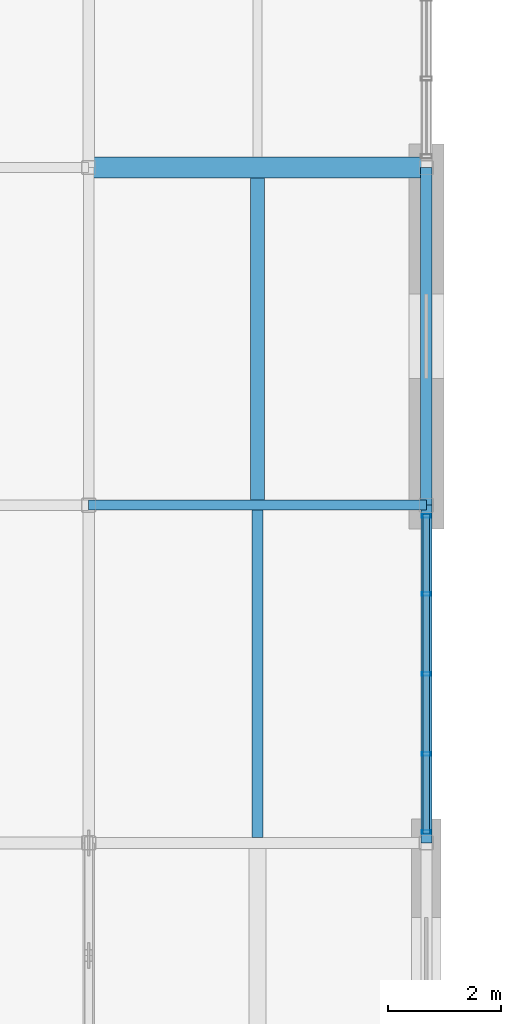
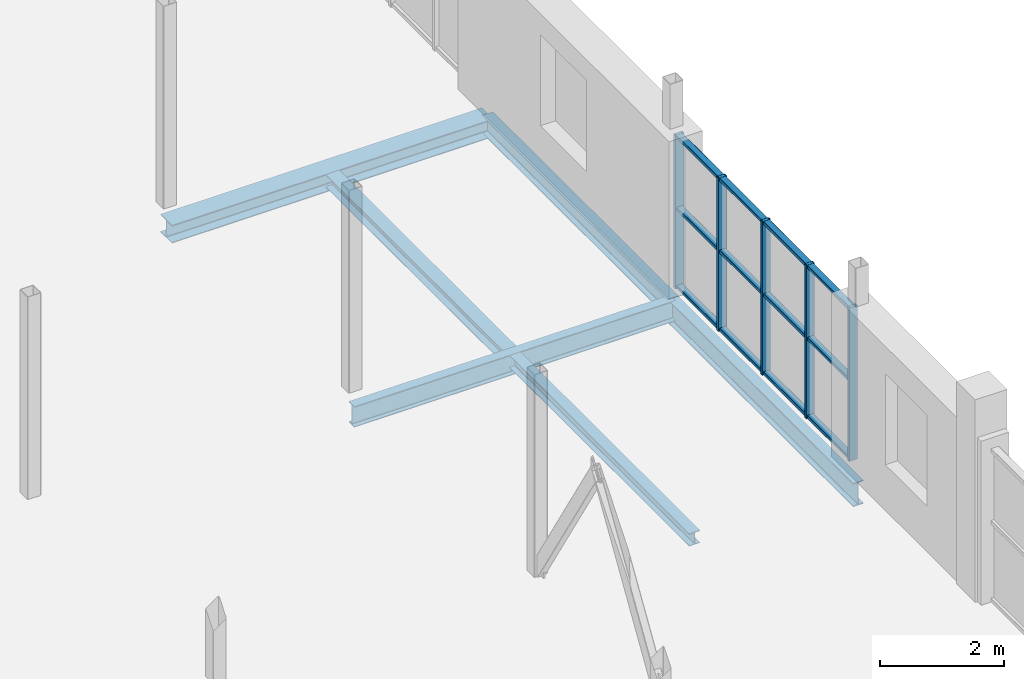
# One storey, part 14 of 35: 8 members, 6 beams, 1 element without a shape of its own.
"""IFC4 building model written with IfcOpenShell, lengths in metres."""

from ifc_helpers import new_model, si_unit, direction, frame, origin, origin_2d, place, context, subcontext, project, spatial, hollow_rectangle, i_section, extrude, material, material_profile, profile_set, type_object, element, aggregate, save


model = new_model("IFC4")

# Units and contexts
model_context = context("Model", 3, precision=1e-05, world=origin(), true_north=direction((0.0, 1.0)))
body_context = subcontext(model_context, "Body", "Model", "MODEL_VIEW")
ifc_project = project(units=[si_unit("LENGTHUNIT", "METRE"), si_unit("AREAUNIT", "SQUARE_METRE"), si_unit("VOLUMEUNIT", "CUBIC_METRE"), si_unit("PLANEANGLEUNIT", "RADIAN"), si_unit("MASSUNIT", "GRAM", prefix="KILO")], contexts=[model_context])

# Site, building, storey
site_placement = place(None, origin())
site = spatial("IfcSite", under=ifc_project, at=site_placement, CompositionType="ELEMENT")
building_placement = place(site_placement, origin())
building = spatial("IfcBuilding", under=site, at=building_placement, Name="Verrall Gate Interchange", CompositionType="ELEMENT")
storey_placement = place(building_placement, frame((0.0, 0.0, 15.39990234375)))
storey = spatial("IfcBuildingStorey", under=building, at=storey_placement, Name="L04", CompositionType="ELEMENT", Elevation=15.39990234375)

# Beams
ifc_material_1 = material(Name="Structural Steel CSA G40.21 350W", Category="steel")
ifc_material_profile_1 = material_profile(ifc_material_1, i_section(OverallWidth=0.19189453125, OverallDepth=0.462890625, WebThickness=0.010498046875, FlangeThickness=0.017578125, FilletRadius=0.012939453125, at=origin_2d()), Name="W460x89")
ifc_profile_set_1 = profile_set([ifc_material_profile_1], Name="Structural Steel CSA G40.21 350W")
beam_type_1 = type_object("IfcBeamType", Name="B-11 Structural Beam W460x89", PredefinedType="BEAM", material=ifc_profile_set_1)
beam_1_placement = place(storey_placement, frame((36.0, 16.0, -0.5615234375), z_axis=(0.0, 1.0, 0.0), x_axis=(-1.0, 0.0, 0.0)))
element("IfcBeam", 1, at=beam_1_placement, inside=storey, type_object=beam_type_1, Name="L04 Girder BM-L04-2713 (B-11)", PredefinedType="BEAM", context=body_context, shape_type="SweptSolid", body=[
    extrude(i_section(OverallWidth=0.19189453125, OverallDepth=0.462890625, WebThickness=0.010498046875, FlangeThickness=0.017578125, FilletRadius=0.012939453125, at=origin_2d()), origin(), (0.0, 0.0, 1.0), 6.0),
])
ifc_material_2 = material(Name="Structural Steel CSA G40.21 350W", Category="steel")
ifc_material_profile_2 = material_profile(ifc_material_2, i_section(OverallWidth=0.178955078125, OverallDepth=0.409912109375, WebThickness=0.0087890625, FlangeThickness=0.014404296875, FilletRadius=0.011962890625, at=origin_2d()), Name="W410x67")
ifc_profile_set_2 = profile_set([ifc_material_profile_2], Name="Structural Steel CSA G40.21 350W")
beam_type_2 = type_object("IfcBeamType", Name="B-12 Structural Beam W410x67", PredefinedType="BEAM", material=ifc_profile_set_2)
beam_2_placement = place(storey_placement, frame((30.0, 22.0, -0.534912109375), z_axis=(1.0, 0.0, 0.0), x_axis=(0.0, 1.0, 0.0)))
element("IfcBeam", 2, at=beam_2_placement, inside=storey, type_object=beam_type_2, Name="L04 Girder BM-L04-2555 (B-12)", PredefinedType="BEAM", context=body_context, shape_type="SweptSolid", body=[
    extrude(i_section(OverallWidth=0.178955078125, OverallDepth=0.409912109375, WebThickness=0.0087890625, FlangeThickness=0.014404296875, FilletRadius=0.011962890625, at=origin_2d()), origin(), (0.0, 0.0, 1.0), 6.0),
])
ifc_material_3 = material(Name="Structural Steel CSA G40.21 350W", Category="steel")
ifc_material_profile_3 = material_profile(ifc_material_3, i_section(OverallWidth=0.368896484375, OverallDepth=0.35595703125, WebThickness=0.01123046875, FlangeThickness=0.01806640625, FilletRadius=0.014892578125, at=origin_2d()), Name="W360x134")
ifc_profile_set_3 = profile_set([ifc_material_profile_3], Name="Structural Steel CSA G40.21 350W")
beam_type_3 = type_object("IfcBeamType", Name="B-13 Structural Beam W360x134", PredefinedType="BEAM", material=ifc_profile_set_3)
beam_3_placement = place(storey_placement, frame((30.0, 28.0, -0.5078125), z_axis=(1.0, 0.0, 0.0), x_axis=(0.0, 1.0, 0.0)))
element("IfcBeam", 3, at=beam_3_placement, inside=storey, type_object=beam_type_3, Name="L04 Girder BM-L04-2566 (B-13)", PredefinedType="BEAM", context=body_context, shape_type="SweptSolid", body=[
    extrude(i_section(OverallWidth=0.368896484375, OverallDepth=0.35595703125, WebThickness=0.01123046875, FlangeThickness=0.01806640625, FilletRadius=0.014892578125, at=origin_2d()), origin(), (0.0, 0.0, 1.0), 6.0),
])
ifc_material_4 = material(Name="Structural Steel CSA G40.21 350W", Category="steel")
ifc_material_profile_4 = material_profile(ifc_material_4, i_section(OverallWidth=0.205078125, OverallDepth=0.35400390625, WebThickness=0.009521484375, FlangeThickness=0.016845703125, FilletRadius=0.012939453125, at=origin_2d()), Name="W360x79")
ifc_profile_set_4 = profile_set([ifc_material_profile_4], Name="Structural Steel CSA G40.21 350W")
beam_type_4 = type_object("IfcBeamType", Name="B-14 Structural Beam W360x79", PredefinedType="BEAM", material=ifc_profile_set_4)
beam_4_placement = place(storey_placement, frame((36.0, 22.0, -0.5068359375), z_axis=(0.0, 1.0, 0.0), x_axis=(-1.0, 0.0, 0.0)))
element("IfcBeam", 4, at=beam_4_placement, inside=storey, type_object=beam_type_4, Name="L04 Girder BM-L04-2714 (B-14)", PredefinedType="BEAM", context=body_context, shape_type="SweptSolid", body=[
    extrude(i_section(OverallWidth=0.205078125, OverallDepth=0.35400390625, WebThickness=0.009521484375, FlangeThickness=0.016845703125, FilletRadius=0.012939453125, at=origin_2d()), origin(), (0.0, 0.0, 1.0), 6.0),
])

# Curtain wall, members
ifc_material_5 = material(Name="Thermally Broken Anodized Aluminium Curtain Wall Framing", Category="aluminium")
curtain_wall_type = type_object("IfcCurtainWallType", Name="CW-35 Unitized Curtain Wall 5682x3030", PredefinedType="NOTDEFINED", material=ifc_material_5)
curtain_wall_placement = place(storey_placement, origin())
curtain_wall = element("IfcCurtainWall", 5, at=curtain_wall_placement, inside=storey, type_object=curtain_wall_type, Name="L04 Unitized Curtain Wall CW-L04-128", PredefinedType="NOTDEFINED")
ifc_material_6 = material(Name="Thermally Broken Anodized Aluminium Curtain Wall Framing", Category="aluminium")
ifc_material_profile_5 = material_profile(ifc_material_6, hollow_rectangle(XDim=0.06494140625, YDim=0.159912109375, WallThickness=0.00390625, InnerFilletRadius=0.00390625, OuterFilletRadius=0.008056640625, at=origin_2d()), Name="CWM160x65x4")
ifc_profile_set_5 = profile_set([ifc_material_profile_5], Name="Thermally Broken Anodized Aluminium Curtain Wall Framing")
member_type_1 = type_object("IfcMemberType", Name="CM-01 Curtain Mullion CWM160x65x4", PredefinedType="MULLION", material=ifc_profile_set_5)
member_1_placement = place(storey_placement, frame((36.0, 16.19140625, 0.0), z_axis=(0.0, 0.0, 1.0), x_axis=(0.0, 1.0, 0.0)))
member_1 = element("IfcMember", 6, at=member_1_placement, type_object=member_type_1, Name="CW-L04-128 Mullion 1", PredefinedType="MULLION", context=body_context, shape_type="SweptSolid", body=[
    extrude(hollow_rectangle(XDim=0.06494140625, YDim=0.159912109375, WallThickness=0.00390625, InnerFilletRadius=0.00390625, OuterFilletRadius=0.008056640625, at=origin_2d()), origin(), (0.0, 0.0, 1.0), 3.030029296875),
])
member_2_placement = place(storey_placement, frame((36.0, 17.57958984375, 0.0), z_axis=(0.0, 0.0, 1.0), x_axis=(0.0, 1.0, 0.0)))
member_2 = element("IfcMember", 7, at=member_2_placement, type_object=member_type_1, Name="CW-L04-128 Mullion 2", PredefinedType="MULLION", context=body_context, shape_type="SweptSolid", body=[
    extrude(hollow_rectangle(XDim=0.06494140625, YDim=0.159912109375, WallThickness=0.00390625, InnerFilletRadius=0.00390625, OuterFilletRadius=0.008056640625, at=origin_2d()), origin(), (0.0, 0.0, 1.0), 3.030029296875),
])
member_3_placement = place(storey_placement, frame((36.0, 19.0, 0.0), z_axis=(0.0, 0.0, 1.0), x_axis=(0.0, 1.0, 0.0)))
member_3 = element("IfcMember", 8, at=member_3_placement, type_object=member_type_1, Name="CW-L04-128 Mullion 3", PredefinedType="MULLION", context=body_context, shape_type="SweptSolid", body=[
    extrude(hollow_rectangle(XDim=0.06494140625, YDim=0.159912109375, WallThickness=0.00390625, InnerFilletRadius=0.00390625, OuterFilletRadius=0.008056640625, at=origin_2d()), origin(), (0.0, 0.0, 1.0), 3.030029296875),
])
member_4_placement = place(storey_placement, frame((36.0, 20.42041015625, 0.0), z_axis=(0.0, 0.0, 1.0), x_axis=(0.0, 1.0, 0.0)))
member_4 = element("IfcMember", 9, at=member_4_placement, type_object=member_type_1, Name="CW-L04-128 Mullion 4", PredefinedType="MULLION", context=body_context, shape_type="SweptSolid", body=[
    extrude(hollow_rectangle(XDim=0.06494140625, YDim=0.159912109375, WallThickness=0.00390625, InnerFilletRadius=0.00390625, OuterFilletRadius=0.008056640625, at=origin_2d()), origin(), (0.0, 0.0, 1.0), 3.030029296875),
])
member_5_placement = place(storey_placement, frame((36.0, 21.80859375, 0.0), z_axis=(0.0, 0.0, 1.0), x_axis=(0.0, 1.0, 0.0)))
member_5 = element("IfcMember", 10, at=member_5_placement, type_object=member_type_1, Name="CW-L04-128 Mullion 5", PredefinedType="MULLION", context=body_context, shape_type="SweptSolid", body=[
    extrude(hollow_rectangle(XDim=0.06494140625, YDim=0.159912109375, WallThickness=0.00390625, InnerFilletRadius=0.00390625, OuterFilletRadius=0.008056640625, at=origin_2d()), origin(), (0.0, 0.0, 1.0), 3.030029296875),
])
ifc_material_7 = material(Name="Thermally Broken Anodized Aluminium Curtain Wall Framing", Category="aluminium")
ifc_material_profile_6 = material_profile(ifc_material_7, hollow_rectangle(XDim=0.1201171875, YDim=0.06494140625, WallThickness=0.00390625, InnerFilletRadius=0.00390625, OuterFilletRadius=0.008056640625, at=origin_2d()), Name="CWT120x65x4")
ifc_profile_set_6 = profile_set([ifc_material_profile_6], Name="Thermally Broken Anodized Aluminium Curtain Wall Framing")
member_type_2 = type_object("IfcMemberType", Name="CT-01 Curtain Transom CWT120x65x4", PredefinedType="USERDEFINED", material=ifc_profile_set_6)
member_6_placement = place(storey_placement, frame((36.0, 16.158935546875, 0.03271484375), z_axis=(0.0, 1.0, 0.0), x_axis=(-1.0, 0.0, 0.0)))
member_6 = element("IfcMember", 11, at=member_6_placement, type_object=member_type_2, Name="CW-L04-128 Transom 1", ObjectType="TRANSOM", PredefinedType="USERDEFINED", context=body_context, shape_type="SweptSolid", body=[
    extrude(hollow_rectangle(XDim=0.1201171875, YDim=0.06494140625, WallThickness=0.00390625, InnerFilletRadius=0.00390625, OuterFilletRadius=0.008056640625, at=origin_2d()), origin(), (0.0, 0.0, 1.0), 5.68212890625),
])
member_7_placement = place(storey_placement, frame((36.0, 16.158935546875, 1.57568359375), z_axis=(0.0, 1.0, 0.0), x_axis=(-1.0, 0.0, 0.0)))
member_7 = element("IfcMember", 12, at=member_7_placement, type_object=member_type_2, Name="CW-L04-128 Transom 2", ObjectType="TRANSOM", PredefinedType="USERDEFINED", context=body_context, shape_type="SweptSolid", body=[
    extrude(hollow_rectangle(XDim=0.1201171875, YDim=0.06494140625, WallThickness=0.00390625, InnerFilletRadius=0.00390625, OuterFilletRadius=0.008056640625, at=origin_2d()), origin(), (0.0, 0.0, 1.0), 5.68212890625),
])
member_8_placement = place(storey_placement, frame((36.0, 16.158935546875, 2.99755859375), z_axis=(0.0, 1.0, 0.0), x_axis=(-1.0, 0.0, 0.0)))
member_8 = element("IfcMember", 13, at=member_8_placement, type_object=member_type_2, Name="CW-L04-128 Transom 3", ObjectType="TRANSOM", PredefinedType="USERDEFINED", context=body_context, shape_type="SweptSolid", body=[
    extrude(hollow_rectangle(XDim=0.1201171875, YDim=0.06494140625, WallThickness=0.00390625, InnerFilletRadius=0.00390625, OuterFilletRadius=0.008056640625, at=origin_2d()), origin(), (0.0, 0.0, 1.0), 5.68212890625),
])
aggregate(curtain_wall, [member_1, member_2, member_3, member_4, member_5, member_6, member_7, member_8])

# Beams
ifc_material_8 = material(Name="Structural Steel CSA G40.21 350W", Category="steel")
ifc_material_profile_7 = material_profile(ifc_material_8, i_section(OverallWidth=0.25390625, OverallDepth=0.2529296875, WebThickness=0.008544921875, FlangeThickness=0.01416015625, FilletRadius=0.011962890625, at=origin_2d()), Name="W250x73")
ifc_profile_set_7 = profile_set([ifc_material_profile_7], Name="Structural Steel CSA G40.21 350W")
beam_type_5 = type_object("IfcBeamType", Name="J-05 Floor Joist W250x73", PredefinedType="JOIST", material=ifc_profile_set_7)
beam_5_placement = place(storey_placement, frame((33.0, 22.089599609375, -0.456298828125), z_axis=(0.0, 1.0, 0.0), x_axis=(-1.0, 0.0, 0.0)))
element("IfcBeam", 14, at=beam_5_placement, inside=storey, type_object=beam_type_5, Name="L04 Secondary Floor Joist JST-L04-2795", PredefinedType="JOIST", context=body_context, shape_type="SweptSolid", body=[
    extrude(i_section(OverallWidth=0.25390625, OverallDepth=0.2529296875, WebThickness=0.008544921875, FlangeThickness=0.01416015625, FilletRadius=0.011962890625, at=origin_2d()), origin(), (0.0, 0.0, 1.0), 5.725830078125),
])
ifc_material_9 = material(Name="Structural Steel CSA G40.21 350W", Category="steel")
ifc_material_profile_8 = material_profile(ifc_material_9, i_section(OverallWidth=0.201904296875, OverallDepth=0.2470703125, WebThickness=0.00732421875, FlangeThickness=0.010986328125, FilletRadius=0.010986328125, at=origin_2d()), Name="W250x49")
ifc_profile_set_8 = profile_set([ifc_material_profile_8], Name="Structural Steel CSA G40.21 350W")
beam_type_6 = type_object("IfcBeamType", Name="J-06 Floor Joist W250x49", PredefinedType="JOIST", material=ifc_profile_set_8)
beam_6_placement = place(storey_placement, frame((33.0, 16.095947265625, -0.453369140625), z_axis=(0.0, 1.0, 0.0), x_axis=(-1.0, 0.0, 0.0)))
element("IfcBeam", 15, at=beam_6_placement, inside=storey, type_object=beam_type_6, Name="L04 Secondary Floor Joist JST-L04-2787", PredefinedType="JOIST", context=body_context, shape_type="SweptSolid", body=[
    extrude(i_section(OverallWidth=0.201904296875, OverallDepth=0.2470703125, WebThickness=0.00732421875, FlangeThickness=0.010986328125, FilletRadius=0.010986328125, at=origin_2d()), origin(), (0.0, 0.0, 1.0), 5.814453125),
])

save(model, "model.ifc")
